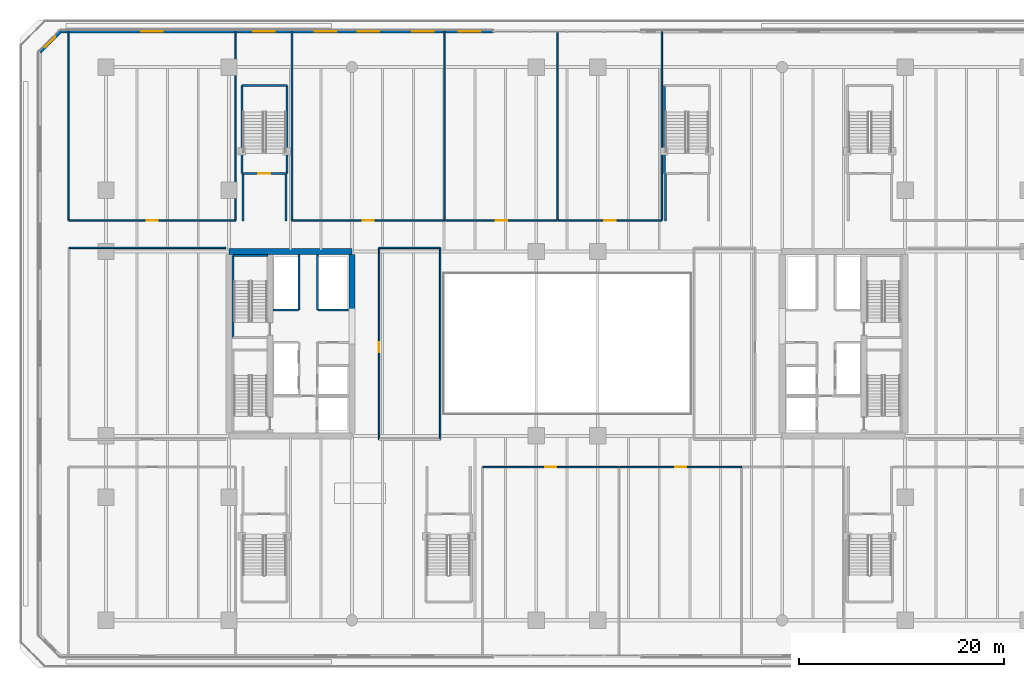
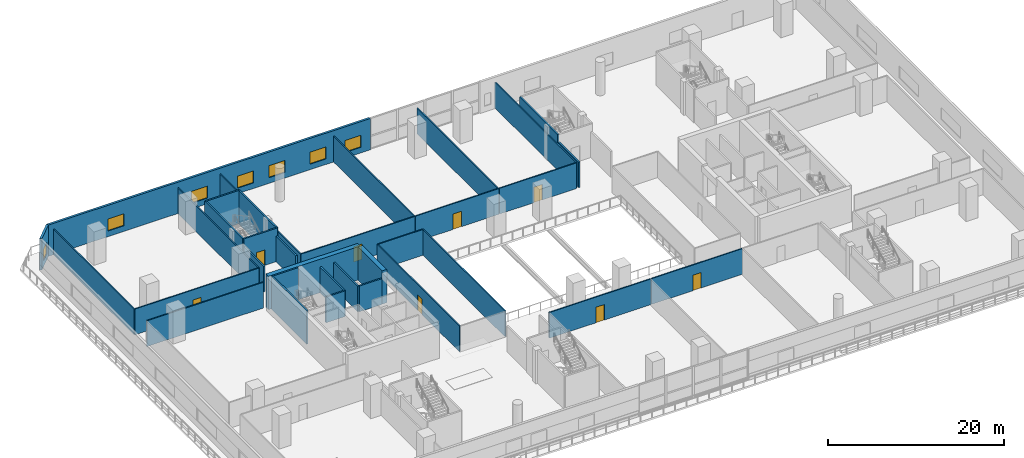
# One storey, part 11 of 27: 34 walls, 8 doors, 7 windows, 15 openings.
"""IFC4 building model written with IfcOpenShell, lengths in metres."""

from ifc_helpers import new_model, si_unit, direction, frame, frame_2d, origin, place, context, subcontext, project, spatial, rectangle, extrude, material, layer, layer_set, type_object, element, fill, save


model = new_model("IFC4")

# Units and contexts
model_context = context("Model", 3, precision=1e-05, world=origin(), true_north=direction((0.0, 1.0)))
body_context = subcontext(model_context, "Body", "Model", "MODEL_VIEW")
ifc_project = project(units=[si_unit("LENGTHUNIT", "METRE"), si_unit("AREAUNIT", "SQUARE_METRE"), si_unit("VOLUMEUNIT", "CUBIC_METRE"), si_unit("PLANEANGLEUNIT", "RADIAN"), si_unit("MASSUNIT", "GRAM", prefix="KILO")], contexts=[model_context])

# Site, building, storey
site_placement = place(None, origin())
site = spatial("IfcSite", under=ifc_project, at=site_placement, CompositionType="ELEMENT")
building_placement = place(site_placement, origin())
building = spatial("IfcBuilding", under=site, at=building_placement, Name="Tanjung Sevakor Pilgrim Tower", CompositionType="ELEMENT")
storey_placement = place(building_placement, frame((0.0, 0.0, 14.85009765625)))
storey = spatial("IfcBuildingStorey", under=building, at=storey_placement, Name="L04", CompositionType="ELEMENT", Elevation=14.85009765625)

# Walls
ifc_material_1 = material(Name="Concrete C60/75", Category="concrete")
ifc_layer_1 = layer(ifc_material_1, 0.60009765625)
ifc_layer_set_1 = layer_set([ifc_layer_1], Name="WALL-CW-600")
wall_type_1 = type_object("IfcWallType", Name="WALL-CW-600", PredefinedType="SHEAR", material=ifc_layer_set_1)
wall_1_placement = place(storey_placement, frame((36.0, 42.60009765625, 0.0), z_axis=(0.0, 0.0, 1.0), x_axis=(-1.0, 0.0, 0.0)))
element("IfcWall", 1, at=wall_1_placement, inside=storey, type_object=wall_type_1, Name="L04 W Core North Shear Wall", PredefinedType="SHEAR", context=body_context, shape_type="SweptSolid", body=[
    extrude(rectangle(XDim=12.0, YDim=0.60009765625, at=frame_2d((6.0, 0.0))), origin(), (0.0, 0.0, 1.0), 4.619873046875),
])
wall_2_placement = place(storey_placement, frame((36.0, 36.800048828125, 0.0), z_axis=(0.0, 0.0, 1.0), x_axis=(0.0, 1.0, 0.0)))
element("IfcWall", 2, at=wall_2_placement, inside=storey, type_object=wall_type_1, Name="L04 W Core Inner Shear Wall North", PredefinedType="SHEAR", context=body_context, shape_type="SweptSolid", body=[
    extrude(rectangle(XDim=5.5, YDim=0.60009765625, at=frame_2d((2.75, 0.0))), origin(), (0.0, 0.0, 1.0), 4.619873046875),
])

# Wall, opening, door
ifc_material_2 = material(Name="Concrete C40/50", Category="concrete")
ifc_layer_2 = layer(ifc_material_2, 0.14990234375)
ifc_layer_set_2 = layer_set([ifc_layer_2], Name="WT-COMP-150")
wall_type_2 = type_object("IfcWallType", Name="WT-COMP-150", PredefinedType="SOLIDWALL", material=ifc_layer_set_2)
wall_3_placement = place(storey_placement, frame((48.75, 21.550048828125, 0.0), z_axis=(0.0, 0.0, 1.0), x_axis=(1.0, 0.0, 0.0)))
wall_3 = element("IfcWall", 3, at=wall_3_placement, inside=storey, type_object=wall_type_2, Name="L04 Partition IW-L04-040", PredefinedType="SOLIDWALL", context=body_context, shape_type="SweptSolid", body=[
    extrude(rectangle(XDim=13.300048828125, YDim=0.14990234375, at=frame_2d((6.64990234375, 0.0))), origin(), (0.0, 0.0, 1.0), 3.56005859375),
])
opening_1_placement = place(wall_3_placement, frame((6.10009765625, 0.0, 0.0)))
opening_1 = element("IfcOpeningElement", 4, at=opening_1_placement, cuts=wall_3, Name="Opening ID-RM2", PredefinedType="OPENING", context=body_context, shape_type="SweptSolid", body=[
    extrude(rectangle(XDim=1.10009765625, YDim=2.14990234375, at=frame_2d((0.550048828125, 1.074951171875))), frame((0.0, 0.0849609375, 0.0), z_axis=(0.0, -1.0, 0.0), x_axis=(1.0, 0.0, 0.0)), (0.0, 0.0, 1.0), 0.169921875),
])
ifc_material_3 = material(Name="Hardwood Timber", Category="wood")
door_type_1 = type_object("IfcDoorType", Name="DT-INT-1100", OperationType="NOTDEFINED", PredefinedType="DOOR", material=ifc_material_3)
door_1_placement = place(opening_1_placement, origin())
door_1 = element("IfcDoor", 5, at=door_1_placement, inside=storey, type_object=door_type_1, Name="L04 South Gallery Door 2", OperationType="SINGLE_SWING_LEFT", OverallHeight=2.14990234375, OverallWidth=1.10009765625, PredefinedType="DOOR", context=body_context, shape_type="SweptSolid", body=[
    extrude(rectangle(XDim=1.10009765625, YDim=2.14990234375, at=frame_2d((0.550048828125, 1.074951171875))), frame((0.0, 0.02490234375, 0.0), z_axis=(0.0, -1.0, 0.0), x_axis=(1.0, 0.0, 0.0)), (0.0, 0.0, 1.0), 0.050048828125),
])
fill(opening_1, door_1)

wall_4_placement = place(storey_placement, frame((62.14990234375, 21.550048828125, 0.0), z_axis=(0.0, 0.0, 1.0), x_axis=(1.0, 0.0, 0.0)))
wall_4 = element("IfcWall", 6, at=wall_4_placement, inside=storey, type_object=wall_type_2, Name="L04 Partition IW-L04-043", PredefinedType="SOLIDWALL", context=body_context, shape_type="SweptSolid", body=[
    extrude(rectangle(XDim=11.900146484375, YDim=0.14990234375, at=frame_2d((5.9501953125, 0.0))), origin(), (0.0, 0.0, 1.0), 3.56005859375),
])
opening_2_placement = place(wall_4_placement, frame((5.39990234375, 0.0, 0.0)))
opening_2 = element("IfcOpeningElement", 7, at=opening_2_placement, cuts=wall_4, Name="Opening ID-RM2", PredefinedType="OPENING", context=body_context, shape_type="SweptSolid", body=[
    extrude(rectangle(XDim=1.10009765625, YDim=2.14990234375, at=frame_2d((0.550048828125, 1.074951171875))), frame((0.0, 0.0849609375, 0.0), z_axis=(0.0, -1.0, 0.0), x_axis=(1.0, 0.0, 0.0)), (0.0, 0.0, 1.0), 0.169921875),
])
door_2_placement = place(opening_2_placement, origin())
door_2 = element("IfcDoor", 8, at=door_2_placement, inside=storey, type_object=door_type_1, Name="L04 South Gallery Door 3", OperationType="SINGLE_SWING_RIGHT", OverallHeight=2.14990234375, OverallWidth=1.10009765625, PredefinedType="DOOR", context=body_context, shape_type="SweptSolid", body=[
    extrude(rectangle(XDim=1.10009765625, YDim=2.14990234375, at=frame_2d((0.550048828125, 1.074951171875))), frame((0.0, 0.02490234375, 0.0), z_axis=(0.0, -1.0, 0.0), x_axis=(1.0, 0.0, 0.0)), (0.0, 0.0, 1.0), 0.050048828125),
])
fill(opening_2, door_2)

wall_5_placement = place(storey_placement, frame((8.35009765625, 45.64990234375, 0.0), z_axis=(0.0, 0.0, 1.0), x_axis=(1.0, 0.0, 0.0)))
wall_5 = element("IfcWall", 9, at=wall_5_placement, inside=storey, type_object=wall_type_2, Name="L04 Partition IW-L04-049", PredefinedType="SOLIDWALL", context=body_context, shape_type="SweptSolid", body=[
    extrude(rectangle(XDim=16.2998046875, YDim=0.14990234375, at=frame_2d((8.14990234375, 0.0))), origin(), (0.0, 0.0, 1.0), 3.56005859375),
])
opening_3_placement = place(wall_5_placement, frame((7.60009765625, 0.0, 0.0)))
opening_3 = element("IfcOpeningElement", 10, at=opening_3_placement, cuts=wall_5, Name="Opening ID-RM2", PredefinedType="OPENING", context=body_context, shape_type="SweptSolid", body=[
    extrude(rectangle(XDim=1.10009765625, YDim=2.14990234375, at=frame_2d((0.550048828125, 1.074951171875))), frame((0.0, 0.0849609375, 0.0), z_axis=(0.0, -1.0, 0.0), x_axis=(1.0, 0.0, 0.0)), (0.0, 0.0, 1.0), 0.169921875),
])
door_3_placement = place(opening_3_placement, origin())
door_3 = element("IfcDoor", 11, at=door_3_placement, inside=storey, type_object=door_type_1, Name="L04 North Academic Door 1", OperationType="SINGLE_SWING_LEFT", OverallHeight=2.14990234375, OverallWidth=1.10009765625, PredefinedType="DOOR", context=body_context, shape_type="SweptSolid", body=[
    extrude(rectangle(XDim=1.10009765625, YDim=2.14990234375, at=frame_2d((0.550048828125, 1.074951171875))), frame((0.0, 0.02490234375, 0.0), z_axis=(0.0, -1.0, 0.0), x_axis=(1.0, 0.0, 0.0)), (0.0, 0.0, 1.0), 0.050048828125),
])
fill(opening_3, door_3)

# Walls
for number, where, z_axis, x_axis, name in (
    (12, (8.35009765625, 45.64990234375, 0.0), (0.0, 0.0, 1.0), (0.0, 1.0, 0.0), "L04 Partition IW-L04-050"),
    (13, (24.64990234375, 45.64990234375, 0.0), (0.0, 0.0, 1.0), (0.0, 1.0, 0.0), "L04 Partition IW-L04-051"),
):
    element("IfcWall", number, at=place(storey_placement, frame(where, z_axis=z_axis, x_axis=x_axis)), inside=storey, type_object=wall_type_2, Name=name, PredefinedType="SOLIDWALL", context=body_context, shape_type="SweptSolid", body=[
        extrude(rectangle(XDim=18.41015625, YDim=0.14990234375, at=frame_2d((9.205078125, 0.0))), origin(), (0.0, 0.0, 1.0), 3.56005859375),
    ])

# Wall, opening, door
wall_6_placement = place(storey_placement, frame((30.14990234375, 45.64990234375, 0.0), z_axis=(0.0, 0.0, 1.0), x_axis=(1.0, 0.0, 0.0)))
wall_6 = element("IfcWall", 14, at=wall_6_placement, inside=storey, type_object=wall_type_2, Name="L04 Partition IW-L04-052", PredefinedType="SOLIDWALL", context=body_context, shape_type="SweptSolid", body=[
    extrude(rectangle(XDim=14.900146484375, YDim=0.14990234375, at=frame_2d((7.4501953125, 0.0))), origin(), (0.0, 0.0, 1.0), 3.56005859375),
])
opening_4_placement = place(wall_6_placement, frame((6.89990234375, 0.0, 0.0)))
opening_4 = element("IfcOpeningElement", 15, at=opening_4_placement, cuts=wall_6, Name="Opening ID-RM2", PredefinedType="OPENING", context=body_context, shape_type="SweptSolid", body=[
    extrude(rectangle(XDim=1.10009765625, YDim=2.14990234375, at=frame_2d((0.550048828125, 1.074951171875))), frame((0.0, 0.0849609375, 0.0), z_axis=(0.0, -1.0, 0.0), x_axis=(1.0, 0.0, 0.0)), (0.0, 0.0, 1.0), 0.169921875),
])
door_4_placement = place(opening_4_placement, origin())
door_4 = element("IfcDoor", 16, at=door_4_placement, inside=storey, type_object=door_type_1, Name="L04 North Academic Door 2", OperationType="SINGLE_SWING_RIGHT", OverallHeight=2.14990234375, OverallWidth=1.10009765625, PredefinedType="DOOR", context=body_context, shape_type="SweptSolid", body=[
    extrude(rectangle(XDim=1.10009765625, YDim=2.14990234375, at=frame_2d((0.550048828125, 1.074951171875))), frame((0.0, 0.02490234375, 0.0), z_axis=(0.0, -1.0, 0.0), x_axis=(1.0, 0.0, 0.0)), (0.0, 0.0, 1.0), 0.050048828125),
])
fill(opening_4, door_4)

# Walls
for number, where, z_axis, x_axis, name in (
    (17, (30.14990234375, 45.64990234375, 0.0), (0.0, 0.0, 1.0), (0.0, 1.0, 0.0), "L04 Partition IW-L04-053"),
    (18, (45.050048828125, 45.64990234375, 0.0), (0.0, 0.0, 1.0), (0.0, 1.0, 0.0), "L04 Partition IW-L04-054"),
):
    element("IfcWall", number, at=place(storey_placement, frame(where, z_axis=z_axis, x_axis=x_axis)), inside=storey, type_object=wall_type_2, Name=name, PredefinedType="SOLIDWALL", context=body_context, shape_type="SweptSolid", body=[
        extrude(rectangle(XDim=18.41015625, YDim=0.14990234375, at=frame_2d((9.205078125, 0.0))), origin(), (0.0, 0.0, 1.0), 3.56005859375),
    ])

# Wall, opening, door
wall_7_placement = place(storey_placement, frame((45.14990234375, 45.64990234375, 0.0), z_axis=(0.0, 0.0, 1.0), x_axis=(1.0, 0.0, 0.0)))
wall_7 = element("IfcWall", 19, at=wall_7_placement, inside=storey, type_object=wall_type_2, Name="L04 Partition IW-L04-055", PredefinedType="SOLIDWALL", context=body_context, shape_type="SweptSolid", body=[
    extrude(rectangle(XDim=10.900146484375, YDim=0.14990234375, at=frame_2d((5.4501953125, 0.0))), origin(), (0.0, 0.0, 1.0), 3.56005859375),
])
opening_5_placement = place(wall_7_placement, frame((4.89990234375, 0.0, 0.0)))
opening_5 = element("IfcOpeningElement", 20, at=opening_5_placement, cuts=wall_7, Name="Opening ID-RM2", PredefinedType="OPENING", context=body_context, shape_type="SweptSolid", body=[
    extrude(rectangle(XDim=1.10009765625, YDim=2.14990234375, at=frame_2d((0.550048828125, 1.074951171875))), frame((0.0, 0.0849609375, 0.0), z_axis=(0.0, -1.0, 0.0), x_axis=(1.0, 0.0, 0.0)), (0.0, 0.0, 1.0), 0.169921875),
])
door_5_placement = place(opening_5_placement, origin())
door_5 = element("IfcDoor", 21, at=door_5_placement, inside=storey, type_object=door_type_1, Name="L04 North Academic Door 3", OperationType="SINGLE_SWING_LEFT", OverallHeight=2.14990234375, OverallWidth=1.10009765625, PredefinedType="DOOR", context=body_context, shape_type="SweptSolid", body=[
    extrude(rectangle(XDim=1.10009765625, YDim=2.14990234375, at=frame_2d((0.550048828125, 1.074951171875))), frame((0.0, 0.02490234375, 0.0), z_axis=(0.0, -1.0, 0.0), x_axis=(1.0, 0.0, 0.0)), (0.0, 0.0, 1.0), 0.050048828125),
])
fill(opening_5, door_5)

# Wall
wall_8_placement = place(storey_placement, frame((56.050048828125, 45.64990234375, 0.0), z_axis=(0.0, 0.0, 1.0), x_axis=(0.0, 1.0, 0.0)))
element("IfcWall", 22, at=wall_8_placement, inside=storey, type_object=wall_type_2, Name="L04 Partition IW-L04-056", PredefinedType="SOLIDWALL", context=body_context, shape_type="SweptSolid", body=[
    extrude(rectangle(XDim=18.41015625, YDim=0.14990234375, at=frame_2d((9.205078125, 0.0))), origin(), (0.0, 0.0, 1.0), 3.56005859375),
])

# Wall, opening, door
wall_9_placement = place(storey_placement, frame((56.14990234375, 45.64990234375, 0.0), z_axis=(0.0, 0.0, 1.0), x_axis=(1.0, 0.0, 0.0)))
wall_9 = element("IfcWall", 23, at=wall_9_placement, inside=storey, type_object=wall_type_2, Name="L04 Partition IW-L04-057", PredefinedType="SOLIDWALL", context=body_context, shape_type="SweptSolid", body=[
    extrude(rectangle(XDim=10.10009765625, YDim=0.14990234375, at=frame_2d((5.050048828125, 0.0))), origin(), (0.0, 0.0, 1.0), 3.56005859375),
])
opening_6_placement = place(wall_9_placement, frame((4.5, 0.0, 0.0)))
opening_6 = element("IfcOpeningElement", 24, at=opening_6_placement, cuts=wall_9, Name="Opening ID-RM2", PredefinedType="OPENING", context=body_context, shape_type="SweptSolid", body=[
    extrude(rectangle(XDim=1.10009765625, YDim=2.14990234375, at=frame_2d((0.550048828125, 1.074951171875))), frame((0.0, 0.0849609375, 0.0), z_axis=(0.0, -1.0, 0.0), x_axis=(1.0, 0.0, 0.0)), (0.0, 0.0, 1.0), 0.169921875),
])
door_6_placement = place(opening_6_placement, origin())
door_6 = element("IfcDoor", 25, at=door_6_placement, inside=storey, type_object=door_type_1, Name="L04 North Academic Door 4", OperationType="SINGLE_SWING_RIGHT", OverallHeight=2.14990234375, OverallWidth=1.10009765625, PredefinedType="DOOR", context=body_context, shape_type="SweptSolid", body=[
    extrude(rectangle(XDim=1.10009765625, YDim=2.14990234375, at=frame_2d((0.550048828125, 1.074951171875))), frame((0.0, 0.02490234375, 0.0), z_axis=(0.0, -1.0, 0.0), x_axis=(1.0, 0.0, 0.0)), (0.0, 0.0, 1.0), 0.050048828125),
])
fill(opening_6, door_6)

# Walls
wall_10_placement = place(storey_placement, frame((66.25, 45.64990234375, 0.0), z_axis=(0.0, 0.0, 1.0), x_axis=(0.0, 1.0, 0.0)))
element("IfcWall", 26, at=wall_10_placement, inside=storey, type_object=wall_type_2, Name="L04 Partition IW-L04-058", PredefinedType="SOLIDWALL", context=body_context, shape_type="SweptSolid", body=[
    extrude(rectangle(XDim=18.41015625, YDim=0.14990234375, at=frame_2d((9.205078125, 0.0))), origin(), (0.0, 0.0, 1.0), 3.56005859375),
])
wall_11_placement = place(storey_placement, frame((38.64990234375, 42.949951171875, 0.0), z_axis=(0.0, 0.0, 1.0), x_axis=(1.0, 0.0, 0.0)))
element("IfcWall", 27, at=wall_11_placement, inside=storey, type_object=wall_type_2, Name="L04 Partition IW-L04-062", PredefinedType="SOLIDWALL", context=body_context, shape_type="SweptSolid", body=[
    extrude(rectangle(XDim=5.9501953125, YDim=0.14990234375, at=frame_2d((2.97509765625, 0.0))), origin(), (0.0, 0.0, 1.0), 3.56005859375),
])

# Wall, opening, door
wall_12_placement = place(storey_placement, frame((38.64990234375, 24.25, 0.0), z_axis=(0.0, 0.0, 1.0), x_axis=(0.0, 1.0, 0.0)))
wall_12 = element("IfcWall", 28, at=wall_12_placement, inside=storey, type_object=wall_type_2, Name="L04 Partition IW-L04-063", PredefinedType="SOLIDWALL", context=body_context, shape_type="SweptSolid", body=[
    extrude(rectangle(XDim=18.699951171875, YDim=0.14990234375, at=frame_2d((9.35009765625, 0.0))), origin(), (0.0, 0.0, 1.0), 3.56005859375),
])
opening_7_placement = place(wall_12_placement, frame((8.52490234375, 0.0, 0.0)))
opening_7 = element("IfcOpeningElement", 29, at=opening_7_placement, cuts=wall_12, Name="Opening ID-RM1", PredefinedType="OPENING", context=body_context, shape_type="SweptSolid", body=[
    extrude(rectangle(XDim=0.949951171875, YDim=2.14990234375, at=frame_2d((0.47509765625, 1.074951171875))), frame((0.0, 0.0849609375, 0.0), z_axis=(0.0, -1.0, 0.0), x_axis=(1.0, 0.0, 0.0)), (0.0, 0.0, 1.0), 0.169921875),
])
ifc_material_4 = material(Name="Hardwood Timber", Category="wood")
door_type_2 = type_object("IfcDoorType", Name="DT-INT-950", OperationType="NOTDEFINED", PredefinedType="DOOR", material=ifc_material_4)
door_7_placement = place(opening_7_placement, origin())
door_7 = element("IfcDoor", 30, at=door_7_placement, inside=storey, type_object=door_type_2, Name="L04 Atrium West Reading Door", OperationType="SINGLE_SWING_RIGHT", OverallHeight=2.14990234375, OverallWidth=0.949951171875, PredefinedType="DOOR", context=body_context, shape_type="SweptSolid", body=[
    extrude(rectangle(XDim=0.949951171875, YDim=2.14990234375, at=frame_2d((0.47509765625, 1.074951171875))), frame((0.0, 0.02490234375, 0.0), z_axis=(0.0, -1.0, 0.0), x_axis=(1.0, 0.0, 0.0)), (0.0, 0.0, 1.0), 0.050048828125),
])
fill(opening_7, door_7)

# Walls
wall_13_placement = place(storey_placement, frame((44.60009765625, 24.25, 0.0), z_axis=(0.0, 0.0, 1.0), x_axis=(0.0, 1.0, 0.0)))
element("IfcWall", 31, at=wall_13_placement, inside=storey, type_object=wall_type_2, Name="L04 Partition IW-L04-064", PredefinedType="SOLIDWALL", context=body_context, shape_type="SweptSolid", body=[
    extrude(rectangle(XDim=18.699951171875, YDim=0.14990234375, at=frame_2d((9.35009765625, 0.0))), origin(), (0.0, 0.0, 1.0), 3.56005859375),
])
wall_14_placement = place(storey_placement, frame((8.39990234375, 42.949951171875, 0.0), z_axis=(0.0, 0.0, 1.0), x_axis=(1.0, 0.0, 0.0)))
element("IfcWall", 32, at=wall_14_placement, inside=storey, type_object=wall_type_2, Name="L04 Partition IW-L04-070", PredefinedType="SOLIDWALL", context=body_context, shape_type="SweptSolid", body=[
    extrude(rectangle(XDim=15.280029296875, YDim=0.14990234375, at=frame_2d((7.64013671875, 0.0))), origin(), (0.0, 0.0, 1.0), 3.56005859375),
])

# Wall, openings, windows
ifc_material_5 = material(Name="Precast concrete C45/55", Category="concrete")
ifc_layer_3 = layer(ifc_material_5, 0.280029296875)
ifc_layer_set_3 = layer_set([ifc_layer_3], Name="WT-EW-STN2")
wall_type_3 = type_object("IfcWallType", Name="WT-EW-STN2", PredefinedType="SOLIDWALL", material=ifc_layer_set_3)
wall_15_placement = place(storey_placement, frame((49.800048828125, 64.06005859375, 0.0), z_axis=(0.0, 0.0, 1.0), x_axis=(-1.0, 0.0, 0.0)))
wall_15 = element("IfcWall", 33, at=wall_15_placement, inside=storey, type_object=wall_type_3, Name="L04 Cascading Podium Limestone Wall N2", PredefinedType="SOLIDWALL", context=body_context, shape_type="SweptSolid", body=[
    extrude(rectangle(XDim=42.241943359375, YDim=0.280029296875, at=frame_2d((21.12109375, 0.0))), origin(), (0.0, 0.0, 1.0), 4.340087890625),
])
opening_8_placement = place(wall_15_placement, frame((32.25, 0.0, 0.780029296875)))
opening_8 = element("IfcOpeningElement", 34, at=opening_8_placement, cuts=wall_15, Name="Opening WN-P2-1660", PredefinedType="OPENING", context=body_context, shape_type="SweptSolid", body=[
    extrude(rectangle(XDim=2.10009765625, YDim=1.659912109375, at=frame_2d((1.050048828125, 0.830078125))), frame((0.0, 0.14990234375, 0.0), z_axis=(0.0, -1.0, 0.0), x_axis=(1.0, 0.0, 0.0)), (0.0, 0.0, 1.0), 0.300048828125),
])
opening_9_placement = place(wall_15_placement, frame((11.14990234375, 0.0, 0.780029296875)))
opening_9 = element("IfcOpeningElement", 35, at=opening_9_placement, cuts=wall_15, Name="Opening WN-P2-1660", PredefinedType="OPENING", context=body_context, shape_type="SweptSolid", body=[
    extrude(rectangle(XDim=2.10009765625, YDim=1.659912109375, at=frame_2d((1.050048828125, 0.830078125))), frame((0.0, 0.14990234375, 0.0), z_axis=(0.0, -1.0, 0.0), x_axis=(1.0, 0.0, 0.0)), (0.0, 0.0, 1.0), 0.300048828125),
])
opening_10_placement = place(wall_15_placement, frame((1.25, 0.0, 0.780029296875)))
opening_10 = element("IfcOpeningElement", 36, at=opening_10_placement, cuts=wall_15, Name="Opening WN-P2-1660", PredefinedType="OPENING", context=body_context, shape_type="SweptSolid", body=[
    extrude(rectangle(XDim=2.10009765625, YDim=1.659912109375, at=frame_2d((1.050048828125, 0.830078125))), frame((0.0, 0.14990234375, 0.0), z_axis=(0.0, -1.0, 0.0), x_axis=(1.0, 0.0, 0.0)), (0.0, 0.0, 1.0), 0.300048828125),
])
opening_11_placement = place(wall_15_placement, frame((21.35009765625, 0.0, 0.780029296875)))
opening_11 = element("IfcOpeningElement", 37, at=opening_11_placement, cuts=wall_15, Name="Opening WN-P2-1660", PredefinedType="OPENING", context=body_context, shape_type="SweptSolid", body=[
    extrude(rectangle(XDim=2.10009765625, YDim=1.659912109375, at=frame_2d((1.050048828125, 0.830078125))), frame((0.0, 0.14990234375, 0.0), z_axis=(0.0, -1.0, 0.0), x_axis=(1.0, 0.0, 0.0)), (0.0, 0.0, 1.0), 0.300048828125),
])
opening_12_placement = place(wall_15_placement, frame((5.821044921875, 0.0, 0.780029296875)))
opening_12 = element("IfcOpeningElement", 38, at=opening_12_placement, cuts=wall_15, Name="Opening WN-P2-1660", PredefinedType="OPENING", context=body_context, shape_type="SweptSolid", body=[
    extrude(rectangle(XDim=2.10009765625, YDim=1.659912109375, at=frame_2d((1.050048828125, 0.830078125))), frame((0.0, 0.14990234375, 0.0), z_axis=(0.0, -1.0, 0.0), x_axis=(1.0, 0.0, 0.0)), (0.0, 0.0, 1.0), 0.300048828125),
])
opening_13_placement = place(wall_15_placement, frame((15.321044921875, 0.0, 0.780029296875)))
opening_13 = element("IfcOpeningElement", 39, at=opening_13_placement, cuts=wall_15, Name="Opening WN-P2-1660", PredefinedType="OPENING", context=body_context, shape_type="SweptSolid", body=[
    extrude(rectangle(XDim=2.10009765625, YDim=1.659912109375, at=frame_2d((1.050048828125, 0.830078125))), frame((0.0, 0.14990234375, 0.0), z_axis=(0.0, -1.0, 0.0), x_axis=(1.0, 0.0, 0.0)), (0.0, 0.0, 1.0), 0.300048828125),
])
ifc_material_6 = material(Name="Thermally Broken Aluminium and Low-E Glass", Category="aluminium")
window_type_1 = type_object("IfcWindowType", Name="WTYP-WN-P2-1660", PartitioningType="DOUBLE_PANEL_VERTICAL", PredefinedType="WINDOW", material=ifc_material_6)
window_1_placement = place(opening_8_placement, origin())
window_1 = element("IfcWindow", 40, at=window_1_placement, inside=storey, type_object=window_type_1, Name="L04 Facade Window 01", OverallHeight=1.659912109375, OverallWidth=2.10009765625, PartitioningType="SINGLE_PANEL", PredefinedType="WINDOW", context=body_context, shape_type="SweptSolid", body=[
    extrude(rectangle(XDim=2.10009765625, YDim=1.659912109375, at=frame_2d((1.050048828125, 0.830078125))), frame((0.0, 0.030029296875, 0.0), z_axis=(0.0, -1.0, 0.0), x_axis=(1.0, 0.0, 0.0)), (0.0, 0.0, 1.0), 0.06005859375),
])
fill(opening_8, window_1)
window_2_placement = place(opening_9_placement, origin())
window_2 = element("IfcWindow", 41, at=window_2_placement, inside=storey, type_object=window_type_1, Name="L04 Facade Window 02", OverallHeight=1.659912109375, OverallWidth=2.10009765625, PartitioningType="SINGLE_PANEL", PredefinedType="WINDOW", context=body_context, shape_type="SweptSolid", body=[
    extrude(rectangle(XDim=2.10009765625, YDim=1.659912109375, at=frame_2d((1.050048828125, 0.830078125))), frame((0.0, 0.030029296875, 0.0), z_axis=(0.0, -1.0, 0.0), x_axis=(1.0, 0.0, 0.0)), (0.0, 0.0, 1.0), 0.06005859375),
])
fill(opening_9, window_2)
window_3_placement = place(opening_10_placement, origin())
window_3 = element("IfcWindow", 42, at=window_3_placement, inside=storey, type_object=window_type_1, Name="L04 Facade Window 03", OverallHeight=1.659912109375, OverallWidth=2.10009765625, PartitioningType="SINGLE_PANEL", PredefinedType="WINDOW", context=body_context, shape_type="SweptSolid", body=[
    extrude(rectangle(XDim=2.10009765625, YDim=1.659912109375, at=frame_2d((1.050048828125, 0.830078125))), frame((0.0, 0.030029296875, 0.0), z_axis=(0.0, -1.0, 0.0), x_axis=(1.0, 0.0, 0.0)), (0.0, 0.0, 1.0), 0.06005859375),
])
fill(opening_10, window_3)
window_4_placement = place(opening_11_placement, origin())
window_4 = element("IfcWindow", 43, at=window_4_placement, inside=storey, type_object=window_type_1, Name="L04 Facade Window 04", OverallHeight=1.659912109375, OverallWidth=2.10009765625, PartitioningType="SINGLE_PANEL", PredefinedType="WINDOW", context=body_context, shape_type="SweptSolid", body=[
    extrude(rectangle(XDim=2.10009765625, YDim=1.659912109375, at=frame_2d((1.050048828125, 0.830078125))), frame((0.0, 0.030029296875, 0.0), z_axis=(0.0, -1.0, 0.0), x_axis=(1.0, 0.0, 0.0)), (0.0, 0.0, 1.0), 0.06005859375),
])
fill(opening_11, window_4)
window_5_placement = place(opening_12_placement, origin())
window_5 = element("IfcWindow", 44, at=window_5_placement, inside=storey, type_object=window_type_1, Name="L04 Facade Window 05", OverallHeight=1.659912109375, OverallWidth=2.10009765625, PartitioningType="SINGLE_PANEL", PredefinedType="WINDOW", context=body_context, shape_type="SweptSolid", body=[
    extrude(rectangle(XDim=2.10009765625, YDim=1.659912109375, at=frame_2d((1.050048828125, 0.830078125))), frame((0.0, 0.030029296875, 0.0), z_axis=(0.0, -1.0, 0.0), x_axis=(1.0, 0.0, 0.0)), (0.0, 0.0, 1.0), 0.06005859375),
])
fill(opening_12, window_5)
window_6_placement = place(opening_13_placement, origin())
window_6 = element("IfcWindow", 45, at=window_6_placement, inside=storey, type_object=window_type_1, Name="L04 Facade Window 06", OverallHeight=1.659912109375, OverallWidth=2.10009765625, PartitioningType="SINGLE_PANEL", PredefinedType="WINDOW", context=body_context, shape_type="SweptSolid", body=[
    extrude(rectangle(XDim=2.10009765625, YDim=1.659912109375, at=frame_2d((1.050048828125, 0.830078125))), frame((0.0, 0.030029296875, 0.0), z_axis=(0.0, -1.0, 0.0), x_axis=(1.0, 0.0, 0.0)), (0.0, 0.0, 1.0), 0.06005859375),
])
fill(opening_13, window_6)

# Wall, opening, window
wall_16_placement = place(storey_placement, frame((7.55810546875, 64.06005859375, 0.0), z_axis=(0.0, 0.0, 1.0), x_axis=(-0.707106781187, -0.707106781187, 0.0)))
wall_16 = element("IfcWall", 46, at=wall_16_placement, inside=storey, type_object=wall_type_3, Name="L04 MAIN Exterior Wall 6", PredefinedType="SOLIDWALL", context=body_context, shape_type="SweptSolid", body=[
    extrude(rectangle(XDim=2.85400390625, YDim=0.280029296875, at=frame_2d((1.427001953125, 0.0))), origin(), (0.0, 0.0, 1.0), 4.340087890625),
])
opening_14_placement = place(wall_16_placement, frame((0.726806640625, 0.0, 0.780029296875)))
opening_14 = element("IfcOpeningElement", 47, at=opening_14_placement, cuts=wall_16, Name="Opening WN-END", PredefinedType="OPENING", context=body_context, shape_type="SweptSolid", body=[
    extrude(rectangle(XDim=1.39990234375, YDim=1.64990234375, at=frame_2d((0.699951171875, 0.824951171875))), frame((0.0, 0.14990234375, 0.0), z_axis=(0.0, -1.0, 0.0), x_axis=(1.0, 0.0, 0.0)), (0.0, 0.0, 1.0), 0.300048828125),
])
ifc_material_7 = material(Name="Thermally Broken Aluminium and Low-E Glass", Category="aluminium")
window_type_2 = type_object("IfcWindowType", Name="WTYP-WN-END", PartitioningType="SINGLE_PANEL", PredefinedType="WINDOW", material=ifc_material_7)
window_7_placement = place(opening_14_placement, origin())
window_7 = element("IfcWindow", 48, at=window_7_placement, inside=storey, type_object=window_type_2, Name="L04 Facade Window 01", OverallHeight=1.64990234375, OverallWidth=1.39990234375, PartitioningType="SINGLE_PANEL", PredefinedType="WINDOW", context=body_context, shape_type="SweptSolid", body=[
    extrude(rectangle(XDim=1.39990234375, YDim=1.64990234375, at=frame_2d((0.699951171875, 0.824951171875))), frame((0.0, 0.030029296875, 0.0), z_axis=(0.0, -1.0, 0.0), x_axis=(1.0, 0.0, 0.0)), (0.0, 0.0, 1.0), 0.06005859375),
])
fill(opening_14, window_7)

# Walls
ifc_material_8 = material(Name="Concrete C40/50", Category="concrete")
ifc_layer_4 = layer(ifc_material_8, 0.199951171875)
ifc_layer_set_4 = layer_set([ifc_layer_4], Name="WT-FIRE-200")
wall_type_4 = type_object("IfcWallType", Name="WT-FIRE-200", PredefinedType="SOLIDWALL", material=ifc_layer_set_4)
wall_17_placement = place(storey_placement, frame((27.800048828125, 42.199951171875, 0.0), z_axis=(0.0, 0.0, 1.0), x_axis=(-1.0, 0.0, 0.0)))
element("IfcWall", 49, at=wall_17_placement, inside=storey, type_object=wall_type_4, Name="L04 TS-W2 Shaft Wall 2", PredefinedType="SOLIDWALL", context=body_context, shape_type="SweptSolid", body=[
    extrude(rectangle(XDim=3.400146484375, YDim=0.199951171875, at=frame_2d((1.7001953125, 0.0))), origin(), (0.0, 0.0, 1.0), 4.619873046875),
])
wall_18_placement = place(storey_placement, frame((24.39990234375, 42.199951171875, 0.0), z_axis=(0.0, 0.0, 1.0), x_axis=(0.0, -1.0, 0.0)))
element("IfcWall", 50, at=wall_18_placement, inside=storey, type_object=wall_type_4, Name="L04 TS-W2 Shaft Wall 3", PredefinedType="SOLIDWALL", context=body_context, shape_type="SweptSolid", body=[
    extrude(rectangle(XDim=8.0, YDim=0.199951171875, at=frame_2d((4.0, 0.0))), origin(), (0.0, 0.0, 1.0), 4.619873046875),
])

# Wall, opening, door
wall_19_placement = place(storey_placement, frame((25.25, 50.199951171875, 0.0), z_axis=(0.0, 0.0, 1.0), x_axis=(1.0, 0.0, 0.0)))
wall_19 = element("IfcWall", 51, at=wall_19_placement, inside=storey, type_object=wall_type_4, Name="L04 PS-2 Shaft Wall 1", PredefinedType="SOLIDWALL", context=body_context, shape_type="SweptSolid", body=[
    extrude(rectangle(XDim=4.39990234375, YDim=0.199951171875, at=frame_2d((2.199951171875, 0.0))), origin(), (0.0, 0.0, 1.0), 4.619873046875),
])
opening_15_placement = place(wall_19_placement, frame((1.625, 0.0, 0.0)))
opening_15 = element("IfcOpeningElement", 52, at=opening_15_placement, cuts=wall_19, Name="Opening ID-ST1", PredefinedType="OPENING", context=body_context, shape_type="SweptSolid", body=[
    extrude(rectangle(XDim=1.14990234375, YDim=2.14990234375, at=frame_2d((0.574951171875, 1.074951171875))), frame((0.0, 0.10986328125, 0.0), z_axis=(0.0, -1.0, 0.0), x_axis=(1.0, 0.0, 0.0)), (0.0, 0.0, 1.0), 0.219970703125),
])
ifc_material_9 = material(Name="Fire-Rated Steel S355J2", Category="steel")
door_type_3 = type_object("IfcDoorType", Name="DT-FIRE-1150", OperationType="NOTDEFINED", PredefinedType="DOOR", material=ifc_material_9)
door_8_placement = place(opening_15_placement, origin())
door_8 = element("IfcDoor", 53, at=door_8_placement, inside=storey, type_object=door_type_3, Name="L04 PS-2 Stair Entry Fire Door", OperationType="SINGLE_SWING_LEFT", OverallHeight=2.14990234375, OverallWidth=1.14990234375, PredefinedType="DOOR", context=body_context, shape_type="SweptSolid", body=[
    extrude(rectangle(XDim=1.14990234375, YDim=2.14990234375, at=frame_2d((0.574951171875, 1.074951171875))), frame((0.0, 0.02490234375, 0.0), z_axis=(0.0, -1.0, 0.0), x_axis=(1.0, 0.0, 0.0)), (0.0, 0.0, 1.0), 0.050048828125),
])
fill(opening_15, door_8)

# Walls
wall_20_placement = place(storey_placement, frame((29.64990234375, 50.199951171875, 0.0), z_axis=(0.0, 0.0, 1.0), x_axis=(0.0, 1.0, 0.0)))
element("IfcWall", 54, at=wall_20_placement, inside=storey, type_object=wall_type_4, Name="L04 PS-2 Shaft Wall 2", PredefinedType="SOLIDWALL", context=body_context, shape_type="SweptSolid", body=[
    extrude(rectangle(XDim=8.60009765625, YDim=0.199951171875, at=frame_2d((4.300048828125, 0.0))), origin(), (0.0, 0.0, 1.0), 4.619873046875),
])
wall_21_placement = place(storey_placement, frame((29.64990234375, 58.800048828125, 0.0), z_axis=(0.0, 0.0, 1.0), x_axis=(-1.0, 0.0, 0.0)))
element("IfcWall", 55, at=wall_21_placement, inside=storey, type_object=wall_type_4, Name="L04 PS-2 Shaft Wall 3", PredefinedType="SOLIDWALL", context=body_context, shape_type="SweptSolid", body=[
    extrude(rectangle(XDim=4.39990234375, YDim=0.199951171875, at=frame_2d((2.199951171875, 0.0))), origin(), (0.0, 0.0, 1.0), 4.619873046875),
])
for number, where, z_axis, x_axis, name in (
    (56, (25.25, 58.800048828125, 0.0), (0.0, 0.0, 1.0), (0.0, -1.0, 0.0), "L04 PS-2 Shaft Wall 4"),
    (57, (66.5, 58.800048828125, 0.0), (0.0, 0.0, 1.0), (0.0, -1.0, 0.0), "L04 PS-4 Shaft Wall 4"),
):
    element("IfcWall", number, at=place(storey_placement, frame(where, z_axis=z_axis, x_axis=x_axis)), inside=storey, type_object=wall_type_4, Name=name, PredefinedType="SOLIDWALL", context=body_context, shape_type="SweptSolid", body=[
        extrude(rectangle(XDim=8.60009765625, YDim=0.199951171875, at=frame_2d((4.300048828125, 0.0))), origin(), (0.0, 0.0, 1.0), 4.619873046875),
    ])
ifc_material_10 = material(Name="Concrete C40/50", Category="concrete")
ifc_layer_5 = layer(ifc_material_10, 0.199951171875)
ifc_layer_set_5 = layer_set([ifc_layer_5], Name="WT-FPRT-200")
wall_type_5 = type_object("IfcWallType", Name="WT-FPRT-200", PredefinedType="SOLIDWALL", material=ifc_layer_set_5)
wall_22_placement = place(storey_placement, frame((28.320068359375, 36.8798828125, 0.0), z_axis=(0.0, 0.0, 1.0), x_axis=(1.0, 0.0, 0.0)))
element("IfcWall", 58, at=wall_22_placement, inside=storey, type_object=wall_type_5, Name="L04 Partition IW-L04-009", PredefinedType="SOLIDWALL", context=body_context, shape_type="SweptSolid", body=[
    extrude(rectangle(XDim=2.47998046875, YDim=0.199951171875, at=frame_2d((1.239990234375, 0.0))), origin(), (0.0, 0.0, 1.0), 3.56005859375),
])
wall_23_placement = place(storey_placement, frame((30.820068359375, 36.8798828125, 0.0), z_axis=(0.0, 0.0, 1.0), x_axis=(0.0, 1.0, 0.0)))
element("IfcWall", 59, at=wall_23_placement, inside=storey, type_object=wall_type_5, Name="L04 Partition IW-L04-010", PredefinedType="SOLIDWALL", context=body_context, shape_type="SweptSolid", body=[
    extrude(rectangle(XDim=5.420166015625, YDim=0.199951171875, at=frame_2d((2.7099609375, 0.0))), origin(), (0.0, 0.0, 1.0), 3.56005859375),
])
wall_24_placement = place(storey_placement, frame((32.679931640625, 36.8798828125, 0.0), z_axis=(0.0, 0.0, 1.0), x_axis=(1.0, 0.0, 0.0)))
element("IfcWall", 60, at=wall_24_placement, inside=storey, type_object=wall_type_5, Name="L04 Partition IW-L04-011", PredefinedType="SOLIDWALL", context=body_context, shape_type="SweptSolid", body=[
    extrude(rectangle(XDim=3.0, YDim=0.199951171875, at=frame_2d((1.5, 0.0))), origin(), (0.0, 0.0, 1.0), 3.56005859375),
])
wall_25_placement = place(storey_placement, frame((32.6201171875, 36.8798828125, 0.0), z_axis=(0.0, 0.0, 1.0), x_axis=(0.0, 1.0, 0.0)))
element("IfcWall", 61, at=wall_25_placement, inside=storey, type_object=wall_type_5, Name="L04 Partition IW-L04-012", PredefinedType="SOLIDWALL", context=body_context, shape_type="SweptSolid", body=[
    extrude(rectangle(XDim=5.420166015625, YDim=0.199951171875, at=frame_2d((2.7099609375, 0.0))), origin(), (0.0, 0.0, 1.0), 3.56005859375),
])
for number, where, z_axis, x_axis, name in (
    (62, (25.35009765625, 45.60009765625, 0.0), (0.0, 0.0, 1.0), (0.0, 1.0, 0.0), "L04 Partition IW-L04-031"),
    (63, (29.550048828125, 45.60009765625, 0.0), (0.0, 0.0, 1.0), (0.0, 1.0, 0.0), "L04 Partition IW-L04-032"),
    (64, (66.60009765625, 45.60009765625, 0.0), (0.0, 0.0, 1.0), (0.0, 1.0, 0.0), "L04 Partition IW-L04-033"),
):
    element("IfcWall", number, at=place(storey_placement, frame(where, z_axis=z_axis, x_axis=x_axis)), inside=storey, type_object=wall_type_5, Name=name, PredefinedType="SOLIDWALL", context=body_context, shape_type="SweptSolid", body=[
        extrude(rectangle(XDim=4.599853515625, YDim=0.199951171875, at=frame_2d((2.2998046875, 0.0))), origin(), (0.0, 0.0, 1.0), 3.56005859375),
    ])

save(model, "model.ifc")
